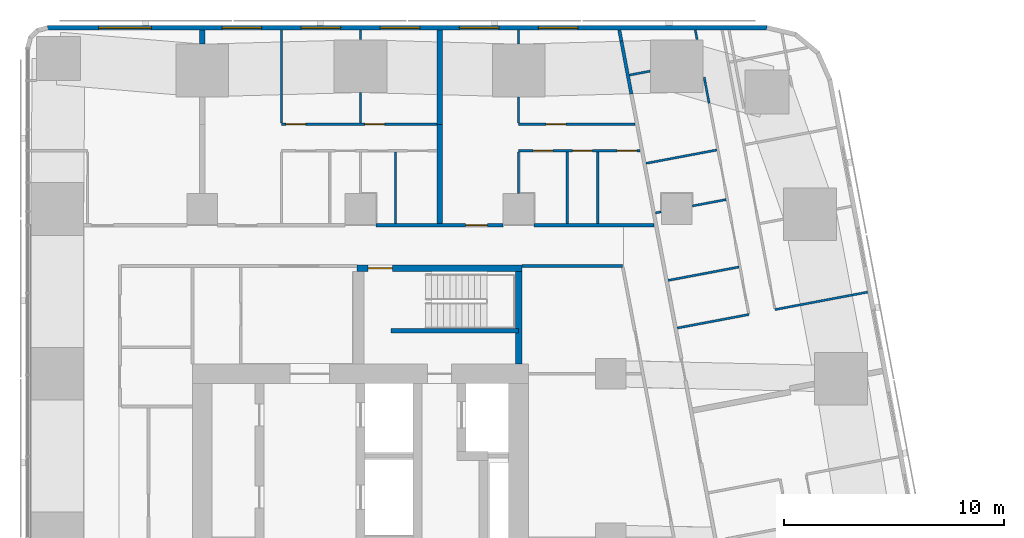
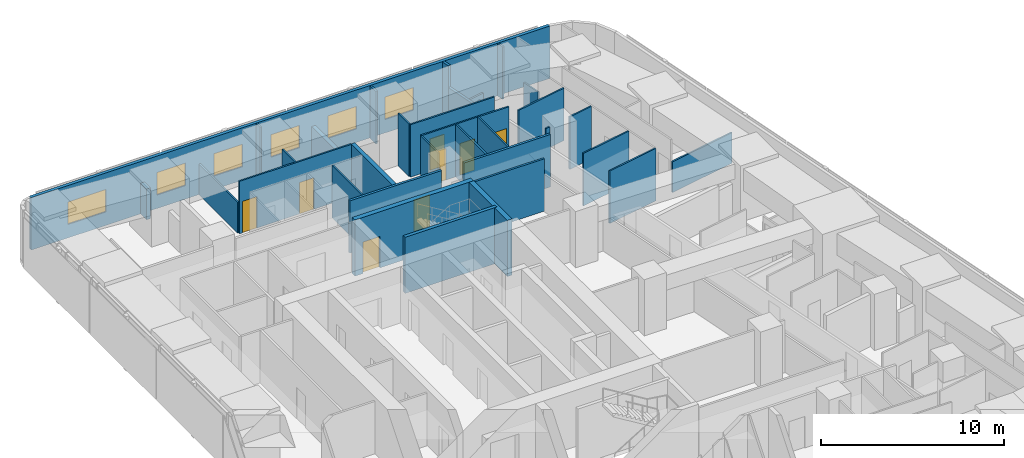
# One storey, part 16 of 19: 33 walls, 8 doors, 6 windows, 14 openings.
"""IFC4 building model written with IfcOpenShell, lengths in metres."""

from ifc_helpers import new_model, si_unit, direction, frame, frame_2d, origin, place, context, subcontext, project, spatial, rectangle, extrude, material, layer, layer_set, type_object, element, fill, save


model = new_model("IFC4")

# Units and contexts
model_context = context("Model", 3, precision=1e-05, world=origin(), true_north=direction((0.0, 1.0)))
body_context = subcontext(model_context, "Body", "Model", "MODEL_VIEW")
ifc_project = project(units=[si_unit("LENGTHUNIT", "METRE"), si_unit("AREAUNIT", "SQUARE_METRE"), si_unit("VOLUMEUNIT", "CUBIC_METRE"), si_unit("PLANEANGLEUNIT", "RADIAN"), si_unit("MASSUNIT", "GRAM", prefix="KILO")], contexts=[model_context])

# Site, building, storey
site_placement = place(None, origin())
site = spatial("IfcSite", under=ifc_project, at=site_placement, CompositionType="ELEMENT")
building_placement = place(site_placement, origin())
building = spatial("IfcBuilding", under=site, at=building_placement, Name="Sheger Commons Tower", CompositionType="ELEMENT")
storey_placement = place(building_placement, frame((0.0, 0.0, 219.949951171875)))
storey = spatial("IfcBuildingStorey", under=building, at=storey_placement, Name="L56", CompositionType="ELEMENT", Elevation=219.949951171875)

# Wall, opening, door
ifc_material_1 = material(Name="Hollow concrete block masonry, skimmed both sides", Category="masonry")
ifc_layer_1 = layer(ifc_material_1, 0.14990234375)
ifc_layer_set_1 = layer_set([ifc_layer_1], Name="CORRIDOR WALL 150")
wall_type_1 = type_object("IfcWallType", Name="CORRIDOR WALL 150", PredefinedType="SOLIDWALL", material=ifc_layer_set_1)
wall_1_placement = place(storey_placement, frame((22.301025390625, 36.75, 0.0), z_axis=(0.0, 0.0, 1.0), x_axis=(1.0, 0.0, 0.0)))
wall_1 = element("IfcWall", 1, at=wall_1_placement, inside=storey, type_object=wall_type_1, Name="Corridor wall L56", PredefinedType="SOLIDWALL", context=body_context, shape_type="SweptSolid", body=[
    extrude(rectangle(XDim=5.798095703125, YDim=0.14990234375, at=frame_2d((2.89892578125, 0.0))), origin(), (0.0, 0.0, 1.0), 3.5),
])
opening_1_placement = place(wall_1_placement, frame((4.08203125, 0.0, 0.0)))
opening_1 = element("IfcOpeningElement", 2, at=opening_1_placement, cuts=wall_1, Name="Opening D1", PredefinedType="OPENING", context=body_context, shape_type="SweptSolid", body=[
    extrude(rectangle(XDim=1.0, YDim=2.10009765625, at=frame_2d((0.5, 1.050048828125))), frame((0.0, 0.0849609375, 0.0), z_axis=(0.0, -1.0, 0.0), x_axis=(1.0, 0.0, 0.0)), (0.0, 0.0, 1.0), 0.169921875),
])
ifc_material_2 = material(Name="Steel door set, fire rated", Category="steel")
door_type_1 = type_object("IfcDoorType", Name="FLAT ENTRANCE DOOR 1000x2100", OperationType="NOTDEFINED", PredefinedType="DOOR", material=ifc_material_2)
door_1_placement = place(opening_1_placement, origin())
door_1 = element("IfcDoor", 3, at=door_1_placement, inside=storey, type_object=door_type_1, Name="Flat entrance door", OperationType="SINGLE_SWING_RIGHT", OverallHeight=2.10009765625, OverallWidth=1.0, PredefinedType="DOOR", context=body_context, shape_type="SweptSolid", body=[
    extrude(rectangle(XDim=1.0, YDim=2.10009765625, at=frame_2d((0.5, 1.050048828125))), frame((0.0, 0.02490234375, 0.0), z_axis=(0.0, -1.0, 0.0), x_axis=(1.0, 0.0, 0.0)), (0.0, 0.0, 1.0), 0.050048828125),
])
fill(opening_1, door_1)

# Walls
wall_2_placement = place(storey_placement, frame((29.5009765625, 36.75, 0.0), z_axis=(0.0, 0.0, 1.0), x_axis=(1.0, 0.0, 0.0)))
element("IfcWall", 4, at=wall_2_placement, inside=storey, type_object=wall_type_1, Name="Corridor wall L56", PredefinedType="SOLIDWALL", context=body_context, shape_type="SweptSolid", body=[
    extrude(rectangle(XDim=5.470947265625, YDim=0.14990234375, at=frame_2d((2.7353515625, 0.0))), origin(), (0.0, 0.0, 1.0), 3.5),
])
wall_3_placement = place(storey_placement, frame((33.382080078125, 45.64990234375, 0.0), z_axis=(0.0, 0.0, 1.0), x_axis=(0.185657456326, -0.982614527122, 0.0)))
element("IfcWall", 5, at=wall_3_placement, inside=storey, type_object=wall_type_1, Name="Corridor wall L56", PredefinedType="SOLIDWALL", context=body_context, shape_type="SweptSolid", body=[
    extrude(rectangle(XDim=0.516845703125, YDim=0.14990234375, at=frame_2d((0.25830078125, 0.0))), origin(), (0.0, 0.0, 1.0), 3.5),
])
wall_4_placement = place(storey_placement, frame((33.47802734375, 45.14208984375, 0.0), z_axis=(0.0, 0.0, 1.0), x_axis=(0.185393362436, -0.982664388876, 0.0)))
element("IfcWall", 6, at=wall_4_placement, inside=storey, type_object=wall_type_1, Name="Corridor wall L56", PredefinedType="SOLIDWALL", context=body_context, shape_type="SweptSolid", body=[
    extrude(rectangle(XDim=2.45458984375, YDim=0.14990234375, at=frame_2d((1.227294921875, 0.0))), origin(), (0.0, 0.0, 1.0), 2.050048828125),
])
ifc_material_3 = material(Name="Dense concrete block masonry, plastered both sides (separating wall between flats)", Category="masonry")
ifc_layer_2 = layer(ifc_material_3, 0.25)
ifc_layer_set_2 = layer_set([ifc_layer_2], Name="DEMISING WALL 250")
wall_type_2 = type_object("IfcWallType", Name="DEMISING WALL 250", PredefinedType="SOLIDWALL", material=ifc_layer_set_2)
wall_5_placement = place(storey_placement, frame((14.39990234375, 45.0009765625, 0.0), z_axis=(0.0, 0.0, 1.0), x_axis=(0.0, 1.0, 0.0)))
element("IfcWall", 7, at=wall_5_placement, inside=storey, type_object=wall_type_2, Name="Demising wall L56", PredefinedType="SOLIDWALL", context=body_context, shape_type="SweptSolid", body=[
    extrude(rectangle(XDim=0.64892578125, YDim=0.25, at=frame_2d((0.324462890625, 0.0))), origin(), (0.0, 0.0, 1.0), 2.050048828125),
])
wall_6_placement = place(storey_placement, frame((25.199951171875, 41.35009765625, 0.0), z_axis=(0.0, 0.0, 1.0), x_axis=(0.0, 1.0, 0.0)))
element("IfcWall", 8, at=wall_6_placement, inside=storey, type_object=wall_type_2, Name="Demising wall L56", PredefinedType="SOLIDWALL", context=body_context, shape_type="SweptSolid", body=[
    extrude(rectangle(XDim=4.2998046875, YDim=0.25, at=frame_2d((2.14990234375, 0.0))), origin(), (0.0, 0.0, 1.0), 2.050048828125),
])
wall_7_placement = place(storey_placement, frame((25.199951171875, 36.824951171875, 0.0), z_axis=(0.0, 0.0, 1.0), x_axis=(0.0, 1.0, 0.0)))
element("IfcWall", 9, at=wall_7_placement, inside=storey, type_object=wall_type_2, Name="Demising wall L56", PredefinedType="SOLIDWALL", context=body_context, shape_type="SweptSolid", body=[
    extrude(rectangle(XDim=4.525146484375, YDim=0.25, at=frame_2d((2.2626953125, 0.0))), origin(), (0.0, 0.0, 1.0), 3.5),
])

# Wall, openings, windows
ifc_material_4 = material(Name="Rendered concrete block masonry, dark grey", Category="masonry")
ifc_layer_3 = layer(ifc_material_4, 0.199951171875)
ifc_layer_set_3 = layer_set([ifc_layer_3], Name="FACADE WALL 200")
wall_type_3 = type_object("IfcWallType", Name="FACADE WALL 200", PredefinedType="SOLIDWALL", material=ifc_layer_set_3)
wall_8_placement = place(storey_placement, frame((40.10595703125, 45.75, 0.0), z_axis=(0.0, 0.0, 1.0), x_axis=(-1.0, 0.0, 0.0)))
wall_8 = element("IfcWall", 10, at=wall_8_placement, inside=storey, type_object=wall_type_3, Name="Facade wall L56", PredefinedType="SOLIDWALL", context=body_context, shape_type="SweptSolid", body=[
    extrude(rectangle(XDim=32.742919921875, YDim=0.199951171875, at=frame_2d((16.37158203125, 0.0))), origin(), (0.0, 0.0, 1.0), 3.5),
])
opening_2_placement = place(wall_8_placement, frame((8.60595703125, 0.0, 0.89990234375)))
opening_2 = element("IfcOpeningElement", 11, at=opening_2_placement, cuts=wall_8, Name="Opening W2", PredefinedType="OPENING", context=body_context, shape_type="SweptSolid", body=[
    extrude(rectangle(XDim=1.800048828125, YDim=1.5, at=frame_2d((0.89990234375, 0.75))), frame((0.0, 0.10986328125, 0.0), z_axis=(0.0, -1.0, 0.0), x_axis=(1.0, 0.0, 0.0)), (0.0, 0.0, 1.0), 0.219970703125),
])
opening_3_placement = place(wall_8_placement, frame((12.2060546875, 0.0, 0.89990234375)))
opening_3 = element("IfcOpeningElement", 12, at=opening_3_placement, cuts=wall_8, Name="Opening W2", PredefinedType="OPENING", context=body_context, shape_type="SweptSolid", body=[
    extrude(rectangle(XDim=1.800048828125, YDim=1.5, at=frame_2d((0.89990234375, 0.75))), frame((0.0, 0.10986328125, 0.0), z_axis=(0.0, -1.0, 0.0), x_axis=(1.0, 0.0, 0.0)), (0.0, 0.0, 1.0), 0.219970703125),
])
opening_4_placement = place(wall_8_placement, frame((15.805908203125, 0.0, 0.89990234375)))
opening_4 = element("IfcOpeningElement", 13, at=opening_4_placement, cuts=wall_8, Name="Opening W2", PredefinedType="OPENING", context=body_context, shape_type="SweptSolid", body=[
    extrude(rectangle(XDim=1.800048828125, YDim=1.5, at=frame_2d((0.89990234375, 0.75))), frame((0.0, 0.10986328125, 0.0), z_axis=(0.0, -1.0, 0.0), x_axis=(1.0, 0.0, 0.0)), (0.0, 0.0, 1.0), 0.219970703125),
])
opening_5_placement = place(wall_8_placement, frame((19.406005859375, 0.0, 0.89990234375)))
opening_5 = element("IfcOpeningElement", 14, at=opening_5_placement, cuts=wall_8, Name="Opening W2", PredefinedType="OPENING", context=body_context, shape_type="SweptSolid", body=[
    extrude(rectangle(XDim=1.800048828125, YDim=1.5, at=frame_2d((0.89990234375, 0.75))), frame((0.0, 0.10986328125, 0.0), z_axis=(0.0, -1.0, 0.0), x_axis=(1.0, 0.0, 0.0)), (0.0, 0.0, 1.0), 0.219970703125),
])
opening_6_placement = place(wall_8_placement, frame((23.006103515625, 0.0, 0.89990234375)))
opening_6 = element("IfcOpeningElement", 15, at=opening_6_placement, cuts=wall_8, Name="Opening W2", PredefinedType="OPENING", context=body_context, shape_type="SweptSolid", body=[
    extrude(rectangle(XDim=1.800048828125, YDim=1.5, at=frame_2d((0.89990234375, 0.75))), frame((0.0, 0.10986328125, 0.0), z_axis=(0.0, -1.0, 0.0), x_axis=(1.0, 0.0, 0.0)), (0.0, 0.0, 1.0), 0.219970703125),
])
opening_7_placement = place(wall_8_placement, frame((28.02490234375, 0.0, 0.89990234375)))
opening_7 = element("IfcOpeningElement", 16, at=opening_7_placement, cuts=wall_8, Name="Opening W1", PredefinedType="OPENING", context=body_context, shape_type="SweptSolid", body=[
    extrude(rectangle(XDim=2.39990234375, YDim=1.5, at=frame_2d((1.199951171875, 0.75))), frame((0.0, 0.10986328125, 0.0), z_axis=(0.0, -1.0, 0.0), x_axis=(1.0, 0.0, 0.0)), (0.0, 0.0, 1.0), 0.219970703125),
])
ifc_material_5 = material(Name="Black aluminium frame, dark tinted double glazing", Category="aluminium")
window_type_1 = type_object("IfcWindowType", Name="WINDOW W1 2400x1500", PartitioningType="SINGLE_PANEL", PredefinedType="WINDOW", material=ifc_material_5)
window_1_placement = place(opening_7_placement, origin())
window_1 = element("IfcWindow", 17, at=window_1_placement, inside=storey, type_object=window_type_1, Name="Window W1 2400X1500", OverallHeight=1.5, OverallWidth=2.39990234375, PartitioningType="SINGLE_PANEL", PredefinedType="WINDOW", context=body_context, shape_type="SweptSolid", body=[
    extrude(rectangle(XDim=2.39990234375, YDim=1.5, at=frame_2d((1.199951171875, 0.75))), frame((0.0, 0.030029296875, 0.0), z_axis=(0.0, -1.0, 0.0), x_axis=(1.0, 0.0, 0.0)), (0.0, 0.0, 1.0), 0.06005859375),
])
fill(opening_7, window_1)
ifc_material_6 = material(Name="Black aluminium frame, dark tinted double glazing", Category="aluminium")
window_type_2 = type_object("IfcWindowType", Name="WINDOW W2 1800x1500", PartitioningType="SINGLE_PANEL", PredefinedType="WINDOW", material=ifc_material_6)
window_2_placement = place(opening_2_placement, origin())
window_2 = element("IfcWindow", 18, at=window_2_placement, inside=storey, type_object=window_type_2, Name="Window W2 1800X1500", OverallHeight=1.5, OverallWidth=1.800048828125, PartitioningType="SINGLE_PANEL", PredefinedType="WINDOW", context=body_context, shape_type="SweptSolid", body=[
    extrude(rectangle(XDim=1.800048828125, YDim=1.5, at=frame_2d((0.89990234375, 0.75))), frame((0.0, 0.030029296875, 0.0), z_axis=(0.0, -1.0, 0.0), x_axis=(1.0, 0.0, 0.0)), (0.0, 0.0, 1.0), 0.06005859375),
])
fill(opening_2, window_2)
window_3_placement = place(opening_3_placement, origin())
window_3 = element("IfcWindow", 19, at=window_3_placement, inside=storey, type_object=window_type_2, Name="Window W2 1800X1500", OverallHeight=1.5, OverallWidth=1.800048828125, PartitioningType="SINGLE_PANEL", PredefinedType="WINDOW", context=body_context, shape_type="SweptSolid", body=[
    extrude(rectangle(XDim=1.800048828125, YDim=1.5, at=frame_2d((0.89990234375, 0.75))), frame((0.0, 0.030029296875, 0.0), z_axis=(0.0, -1.0, 0.0), x_axis=(1.0, 0.0, 0.0)), (0.0, 0.0, 1.0), 0.06005859375),
])
fill(opening_3, window_3)
window_4_placement = place(opening_4_placement, origin())
window_4 = element("IfcWindow", 20, at=window_4_placement, inside=storey, type_object=window_type_2, Name="Window W2 1800X1500", OverallHeight=1.5, OverallWidth=1.800048828125, PartitioningType="SINGLE_PANEL", PredefinedType="WINDOW", context=body_context, shape_type="SweptSolid", body=[
    extrude(rectangle(XDim=1.800048828125, YDim=1.5, at=frame_2d((0.89990234375, 0.75))), frame((0.0, 0.030029296875, 0.0), z_axis=(0.0, -1.0, 0.0), x_axis=(1.0, 0.0, 0.0)), (0.0, 0.0, 1.0), 0.06005859375),
])
fill(opening_4, window_4)
window_5_placement = place(opening_5_placement, origin())
window_5 = element("IfcWindow", 21, at=window_5_placement, inside=storey, type_object=window_type_2, Name="Window W2 1800X1500", OverallHeight=1.5, OverallWidth=1.800048828125, PartitioningType="SINGLE_PANEL", PredefinedType="WINDOW", context=body_context, shape_type="SweptSolid", body=[
    extrude(rectangle(XDim=1.800048828125, YDim=1.5, at=frame_2d((0.89990234375, 0.75))), frame((0.0, 0.030029296875, 0.0), z_axis=(0.0, -1.0, 0.0), x_axis=(1.0, 0.0, 0.0)), (0.0, 0.0, 1.0), 0.06005859375),
])
fill(opening_5, window_5)
window_6_placement = place(opening_6_placement, origin())
window_6 = element("IfcWindow", 22, at=window_6_placement, inside=storey, type_object=window_type_2, Name="Window W2 1800X1500", OverallHeight=1.5, OverallWidth=1.800048828125, PartitioningType="SINGLE_PANEL", PredefinedType="WINDOW", context=body_context, shape_type="SweptSolid", body=[
    extrude(rectangle(XDim=1.800048828125, YDim=1.5, at=frame_2d((0.89990234375, 0.75))), frame((0.0, 0.030029296875, 0.0), z_axis=(0.0, -1.0, 0.0), x_axis=(1.0, 0.0, 0.0)), (0.0, 0.0, 1.0), 0.06005859375),
])
fill(opening_6, window_6)

# Walls
ifc_material_7 = material(Name="Gypsum board on steel studs", Category="steel")
ifc_layer_4 = layer(ifc_material_7, 0.10009765625)
ifc_layer_set_4 = layer_set([ifc_layer_4], Name="PARTITION 100")
wall_type_4 = type_object("IfcWallType", Name="PARTITION 100", PredefinedType="PARTITIONING", material=ifc_layer_set_4)
wall_9_placement = place(storey_placement, frame((36.842041015625, 45.64990234375, 0.0), z_axis=(0.0, 0.0, 1.0), x_axis=(0.185407859198, -0.982661653748, 0.0)))
element("IfcWall", 23, at=wall_9_placement, inside=storey, type_object=wall_type_4, Name="Partition L56", PredefinedType="PARTITIONING", context=body_context, shape_type="SweptSolid", body=[
    extrude(rectangle(XDim=0.44775390625, YDim=0.10009765625, at=frame_2d((0.223876953125, 0.0))), origin(), (0.0, 0.0, 1.0), 3.5),
])
wall_10_placement = place(storey_placement, frame((37.2490234375, 43.492919921875, 0.0), z_axis=(0.0, 0.0, 1.0), x_axis=(0.185817643817, -0.982584247404, 0.0)))
element("IfcWall", 24, at=wall_10_placement, inside=storey, type_object=wall_type_4, Name="Partition L56", PredefinedType="PARTITIONING", context=body_context, shape_type="SweptSolid", body=[
    extrude(rectangle(XDim=1.204833984375, YDim=0.10009765625, at=frame_2d((0.6025390625, 0.0))), origin(), (0.0, 0.0, 1.0), 2.050048828125),
])
wall_11_placement = place(storey_placement, frame((44.693115234375, 33.712890625, 0.0), z_axis=(0.0, 0.0, 1.0), x_axis=(-0.982633535512, -0.185556823879, 0.0)))
element("IfcWall", 25, at=wall_11_placement, inside=storey, type_object=wall_type_4, Name="Partition L56", PredefinedType="PARTITIONING", context=body_context, shape_type="SweptSolid", body=[
    extrude(rectangle(XDim=4.2998046875, YDim=0.10009765625, at=frame_2d((2.14990234375, 0.0))), origin(), (0.0, 0.0, 1.0), 2.050048828125),
])
wall_12_placement = place(storey_placement, frame((34.7900390625, 43.77197265625, 0.0), z_axis=(0.0, 0.0, 1.0), x_axis=(-0.982655532093, -0.185440301034, 0.0)))
element("IfcWall", 26, at=wall_12_placement, inside=storey, type_object=wall_type_4, Name="Partition L56", PredefinedType="PARTITIONING", context=body_context, shape_type="SweptSolid", body=[
    extrude(rectangle(XDim=0.959716796875, YDim=0.10009765625, at=frame_2d((0.47998046875, 0.0))), origin(), (0.0, 0.0, 1.0), 2.050048828125),
])
wall_13_placement = place(storey_placement, frame((37.822998046875, 40.181884765625, 0.0), z_axis=(0.0, 0.0, 1.0), x_axis=(-0.982664729897, -0.18539155487, 0.0)))
element("IfcWall", 27, at=wall_13_placement, inside=storey, type_object=wall_type_4, Name="Partition L56", PredefinedType="PARTITIONING", context=body_context, shape_type="SweptSolid", body=[
    extrude(rectangle(XDim=3.273681640625, YDim=0.10009765625, at=frame_2d((1.63671875, 0.0))), origin(), (0.0, 0.0, 1.0), 3.5),
])
wall_14_placement = place(storey_placement, frame((38.25, 37.925048828125, 0.0), z_axis=(0.0, 0.0, 1.0), x_axis=(-0.982610209589, -0.185680305934, 0.0)))
element("IfcWall", 28, at=wall_14_placement, inside=storey, type_object=wall_type_4, Name="Partition L56", PredefinedType="PARTITIONING", context=body_context, shape_type="SweptSolid", body=[
    extrude(rectangle(XDim=1.5673828125, YDim=0.10009765625, at=frame_2d((0.78369140625, 0.0))), origin(), (0.0, 0.0, 1.0), 3.5),
])
wall_15_placement = place(storey_placement, frame((35.2900390625, 37.365966796875, 0.0), z_axis=(0.0, 0.0, 1.0), x_axis=(-0.982395465615, -0.18681313963, 0.0)))
element("IfcWall", 29, at=wall_15_placement, inside=storey, type_object=wall_type_4, Name="Partition L56", PredefinedType="PARTITIONING", context=body_context, shape_type="SweptSolid", body=[
    extrude(rectangle(XDim=0.2626953125, YDim=0.10009765625, at=frame_2d((0.13134765625, 0.0))), origin(), (0.0, 0.0, 1.0), 3.5),
])
wall_16_placement = place(storey_placement, frame((39.2890625, 32.69189453125, 0.0), z_axis=(0.0, 0.0, 1.0), x_axis=(-0.982633623707, -0.185556356831, 0.0)))
element("IfcWall", 30, at=wall_16_placement, inside=storey, type_object=wall_type_4, Name="Partition L56", PredefinedType="PARTITIONING", context=body_context, shape_type="SweptSolid", body=[
    extrude(rectangle(XDim=3.324951171875, YDim=0.10009765625, at=frame_2d((1.66259765625, 0.0))), origin(), (0.0, 0.0, 1.0), 3.5),
])
wall_17_placement = place(storey_placement, frame((38.8291015625, 34.85498046875, 0.0), z_axis=(0.0, 0.0, 1.0), x_axis=(-0.982610347627, -0.185679575441, 0.0)))
element("IfcWall", 31, at=wall_17_placement, inside=storey, type_object=wall_type_4, Name="Partition L56", PredefinedType="PARTITIONING", context=body_context, shape_type="SweptSolid", body=[
    extrude(rectangle(XDim=3.27392578125, YDim=0.10009765625, at=frame_2d((1.636962890625, 0.0))), origin(), (0.0, 0.0, 1.0), 3.5),
])

# Wall, openings, doors
wall_18_placement = place(storey_placement, frame((18.0, 41.35009765625, 0.0), z_axis=(0.0, 0.0, 1.0), x_axis=(1.0, 0.0, 0.0)))
wall_18 = element("IfcWall", 32, at=wall_18_placement, inside=storey, type_object=wall_type_4, Name="Partition L56", PredefinedType="PARTITIONING", context=body_context, shape_type="SweptSolid", body=[
    extrude(rectangle(XDim=7.074951171875, YDim=0.10009765625, at=frame_2d((3.53759765625, 0.0))), origin(), (0.0, 0.0, 1.0), 3.5),
])
opening_8_placement = place(wall_18_placement, frame((0.199951171875, 0.0, 0.0)))
opening_8 = element("IfcOpeningElement", 33, at=opening_8_placement, cuts=wall_18, Name="Opening D2", PredefinedType="OPENING", context=body_context, shape_type="SweptSolid", body=[
    extrude(rectangle(XDim=0.89990234375, YDim=2.10009765625, at=frame_2d((0.449951171875, 1.050048828125))), frame((0.0, 0.06005859375, 0.0), z_axis=(0.0, -1.0, 0.0), x_axis=(1.0, 0.0, 0.0)), (0.0, 0.0, 1.0), 0.1201171875),
])
opening_9_placement = place(wall_18_placement, frame((3.800048828125, 0.0, 0.0)))
opening_9 = element("IfcOpeningElement", 34, at=opening_9_placement, cuts=wall_18, Name="Opening D2", PredefinedType="OPENING", context=body_context, shape_type="SweptSolid", body=[
    extrude(rectangle(XDim=0.89990234375, YDim=2.10009765625, at=frame_2d((0.449951171875, 1.050048828125))), frame((0.0, 0.06005859375, 0.0), z_axis=(0.0, -1.0, 0.0), x_axis=(1.0, 0.0, 0.0)), (0.0, 0.0, 1.0), 0.1201171875),
])
ifc_material_8 = material(Name="Timber door set", Category="wood")
door_type_2 = type_object("IfcDoorType", Name="INTERNAL DOOR 900x2100", OperationType="NOTDEFINED", PredefinedType="DOOR", material=ifc_material_8)
door_2_placement = place(opening_8_placement, origin())
door_2 = element("IfcDoor", 35, at=door_2_placement, inside=storey, type_object=door_type_2, Name="Main bedroom door", OperationType="SINGLE_SWING_LEFT", OverallHeight=2.10009765625, OverallWidth=0.89990234375, PredefinedType="DOOR", context=body_context, shape_type="SweptSolid", body=[
    extrude(rectangle(XDim=0.89990234375, YDim=2.10009765625, at=frame_2d((0.449951171875, 1.050048828125))), frame((0.0, 0.02490234375, 0.0), z_axis=(0.0, -1.0, 0.0), x_axis=(1.0, 0.0, 0.0)), (0.0, 0.0, 1.0), 0.050048828125),
])
fill(opening_8, door_2)
door_3_placement = place(opening_9_placement, origin())
door_3 = element("IfcDoor", 36, at=door_3_placement, inside=storey, type_object=door_type_2, Name="Bedroom 2 door", OperationType="SINGLE_SWING_LEFT", OverallHeight=2.10009765625, OverallWidth=0.89990234375, PredefinedType="DOOR", context=body_context, shape_type="SweptSolid", body=[
    extrude(rectangle(XDim=0.89990234375, YDim=2.10009765625, at=frame_2d((0.449951171875, 1.050048828125))), frame((0.0, 0.02490234375, 0.0), z_axis=(0.0, -1.0, 0.0), x_axis=(1.0, 0.0, 0.0)), (0.0, 0.0, 1.0), 0.050048828125),
])
fill(opening_9, door_3)

# Walls
wall_19_placement = place(storey_placement, frame((18.0, 41.39990234375, 0.0), z_axis=(0.0, 0.0, 1.0), x_axis=(0.0, 1.0, 0.0)))
element("IfcWall", 37, at=wall_19_placement, inside=storey, type_object=wall_type_4, Name="Partition L56", PredefinedType="PARTITIONING", context=body_context, shape_type="SweptSolid", body=[
    extrude(rectangle(XDim=4.25, YDim=0.10009765625, at=frame_2d((2.125, 0.0))), origin(), (0.0, 0.0, 1.0), 2.050048828125),
])
wall_20_placement = place(storey_placement, frame((21.60009765625, 41.39990234375, 0.0), z_axis=(0.0, 0.0, 1.0), x_axis=(0.0, 1.0, 0.0)))
element("IfcWall", 38, at=wall_20_placement, inside=storey, type_object=wall_type_4, Name="Partition L56", PredefinedType="PARTITIONING", context=body_context, shape_type="SweptSolid", body=[
    extrude(rectangle(XDim=1.399169921875, YDim=0.10009765625, at=frame_2d((0.69970703125, 0.0))), origin(), (0.0, 0.0, 1.0), 3.5),
])
wall_21_placement = place(storey_placement, frame((21.60009765625, 45.200927734375, 0.0), z_axis=(0.0, 0.0, 1.0), x_axis=(0.0, 1.0, 0.0)))
element("IfcWall", 39, at=wall_21_placement, inside=storey, type_object=wall_type_4, Name="Partition L56", PredefinedType="PARTITIONING", context=body_context, shape_type="SweptSolid", body=[
    extrude(rectangle(XDim=0.448974609375, YDim=0.10009765625, at=frame_2d((0.224609375, 0.0))), origin(), (0.0, 0.0, 1.0), 3.5),
])
wall_22_placement = place(storey_placement, frame((23.199951171875, 36.824951171875, 0.0), z_axis=(0.0, 0.0, 1.0), x_axis=(0.0, 1.0, 0.0)))
element("IfcWall", 40, at=wall_22_placement, inside=storey, type_object=wall_type_4, Name="Partition L56", PredefinedType="PARTITIONING", context=body_context, shape_type="SweptSolid", body=[
    extrude(rectangle(XDim=3.275146484375, YDim=0.10009765625, at=frame_2d((1.6376953125, 0.0))), origin(), (0.0, 0.0, 1.0), 3.5),
])

# Wall, opening, door
wall_23_placement = place(storey_placement, frame((28.800048828125, 41.35009765625, 0.0), z_axis=(0.0, 0.0, 1.0), x_axis=(1.0, 0.0, 0.0)))
wall_23 = element("IfcWall", 41, at=wall_23_placement, inside=storey, type_object=wall_type_4, Name="Partition L56", PredefinedType="PARTITIONING", context=body_context, shape_type="SweptSolid", body=[
    extrude(rectangle(XDim=5.307861328125, YDim=0.10009765625, at=frame_2d((2.65380859375, 0.0))), origin(), (0.0, 0.0, 1.0), 3.5),
])
opening_10_placement = place(wall_23_placement, frame((1.25, 0.0, 0.0)))
opening_10 = element("IfcOpeningElement", 42, at=opening_10_placement, cuts=wall_23, Name="Opening D2", PredefinedType="OPENING", context=body_context, shape_type="SweptSolid", body=[
    extrude(rectangle(XDim=0.89990234375, YDim=2.10009765625, at=frame_2d((0.449951171875, 1.050048828125))), frame((0.0, 0.06005859375, 0.0), z_axis=(0.0, -1.0, 0.0), x_axis=(1.0, 0.0, 0.0)), (0.0, 0.0, 1.0), 0.1201171875),
])
door_4_placement = place(opening_10_placement, origin())
door_4 = element("IfcDoor", 43, at=door_4_placement, inside=storey, type_object=door_type_2, Name="Main bedroom door", OperationType="SINGLE_SWING_RIGHT", OverallHeight=2.10009765625, OverallWidth=0.89990234375, PredefinedType="DOOR", context=body_context, shape_type="SweptSolid", body=[
    extrude(rectangle(XDim=0.89990234375, YDim=2.10009765625, at=frame_2d((0.449951171875, 1.050048828125))), frame((0.0, 0.02490234375, 0.0), z_axis=(0.0, -1.0, 0.0), x_axis=(1.0, 0.0, 0.0)), (0.0, 0.0, 1.0), 0.050048828125),
])
fill(opening_10, door_4)

# Wall, openings, doors
wall_24_placement = place(storey_placement, frame((28.800048828125, 40.14990234375, 0.0), z_axis=(0.0, 0.0, 1.0), x_axis=(1.0, 0.0, 0.0)))
wall_24 = element("IfcWall", 44, at=wall_24_placement, inside=storey, type_object=wall_type_4, Name="Partition L56", PredefinedType="PARTITIONING", context=body_context, shape_type="SweptSolid", body=[
    extrude(rectangle(XDim=5.534912109375, YDim=0.10009765625, at=frame_2d((2.767578125, 0.0))), origin(), (0.0, 0.0, 1.0), 3.5),
])
opening_11_placement = place(wall_24_placement, frame((0.655029296875, 0.0, 0.0)))
opening_11 = element("IfcOpeningElement", 45, at=opening_11_placement, cuts=wall_24, Name="Opening D2", PredefinedType="OPENING", context=body_context, shape_type="SweptSolid", body=[
    extrude(rectangle(XDim=0.89990234375, YDim=2.10009765625, at=frame_2d((0.449951171875, 1.050048828125))), frame((0.0, 0.06005859375, 0.0), z_axis=(0.0, -1.0, 0.0), x_axis=(1.0, 0.0, 0.0)), (0.0, 0.0, 1.0), 0.1201171875),
])
opening_12_placement = place(wall_24_placement, frame((4.48095703125, 0.0, 0.0)))
opening_12 = element("IfcOpeningElement", 46, at=opening_12_placement, cuts=wall_24, Name="Opening D2", PredefinedType="OPENING", context=body_context, shape_type="SweptSolid", body=[
    extrude(rectangle(XDim=0.89990234375, YDim=2.10009765625, at=frame_2d((0.449951171875, 1.050048828125))), frame((0.0, 0.06005859375, 0.0), z_axis=(0.0, -1.0, 0.0), x_axis=(1.0, 0.0, 0.0)), (0.0, 0.0, 1.0), 0.1201171875),
])
opening_13_placement = place(wall_24_placement, frame((2.455078125, 0.0, 0.0)))
opening_13 = element("IfcOpeningElement", 47, at=opening_13_placement, cuts=wall_24, Name="Opening D2", PredefinedType="OPENING", context=body_context, shape_type="SweptSolid", body=[
    extrude(rectangle(XDim=0.89990234375, YDim=2.10009765625, at=frame_2d((0.449951171875, 1.050048828125))), frame((0.0, 0.06005859375, 0.0), z_axis=(0.0, -1.0, 0.0), x_axis=(1.0, 0.0, 0.0)), (0.0, 0.0, 1.0), 0.1201171875),
])
door_5_placement = place(opening_11_placement, origin())
door_5 = element("IfcDoor", 48, at=door_5_placement, inside=storey, type_object=door_type_2, Name="Bathroom door", OperationType="SINGLE_SWING_RIGHT", OverallHeight=2.10009765625, OverallWidth=0.89990234375, PredefinedType="DOOR", context=body_context, shape_type="SweptSolid", body=[
    extrude(rectangle(XDim=0.89990234375, YDim=2.10009765625, at=frame_2d((0.449951171875, 1.050048828125))), frame((0.0, 0.02490234375, 0.0), z_axis=(0.0, -1.0, 0.0), x_axis=(1.0, 0.0, 0.0)), (0.0, 0.0, 1.0), 0.050048828125),
])
fill(opening_11, door_5)
door_6_placement = place(opening_12_placement, origin())
door_6 = element("IfcDoor", 49, at=door_6_placement, inside=storey, type_object=door_type_2, Name="Laundry room door", OperationType="SINGLE_SWING_LEFT", OverallHeight=2.10009765625, OverallWidth=0.89990234375, PredefinedType="DOOR", context=body_context, shape_type="SweptSolid", body=[
    extrude(rectangle(XDim=0.89990234375, YDim=2.10009765625, at=frame_2d((0.449951171875, 1.050048828125))), frame((0.0, 0.02490234375, 0.0), z_axis=(0.0, -1.0, 0.0), x_axis=(1.0, 0.0, 0.0)), (0.0, 0.0, 1.0), 0.050048828125),
])
fill(opening_12, door_6)
door_7_placement = place(opening_13_placement, origin())
door_7 = element("IfcDoor", 50, at=door_7_placement, inside=storey, type_object=door_type_2, Name="Store door", OperationType="SINGLE_SWING_LEFT", OverallHeight=2.10009765625, OverallWidth=0.89990234375, PredefinedType="DOOR", context=body_context, shape_type="SweptSolid", body=[
    extrude(rectangle(XDim=0.89990234375, YDim=2.10009765625, at=frame_2d((0.449951171875, 1.050048828125))), frame((0.0, 0.02490234375, 0.0), z_axis=(0.0, -1.0, 0.0), x_axis=(1.0, 0.0, 0.0)), (0.0, 0.0, 1.0), 0.050048828125),
])
fill(opening_13, door_7)

# Walls
wall_25_placement = place(storey_placement, frame((28.800048828125, 41.39990234375, 0.0), z_axis=(0.0, 0.0, 1.0), x_axis=(0.0, 1.0, 0.0)))
element("IfcWall", 51, at=wall_25_placement, inside=storey, type_object=wall_type_4, Name="Partition L56", PredefinedType="PARTITIONING", context=body_context, shape_type="SweptSolid", body=[
    extrude(rectangle(XDim=1.19921875, YDim=0.10009765625, at=frame_2d((0.599609375, 0.0))), origin(), (0.0, 0.0, 1.0), 3.5),
])
wall_26_placement = place(storey_placement, frame((28.800048828125, 45.0009765625, 0.0), z_axis=(0.0, 0.0, 1.0), x_axis=(0.0, 1.0, 0.0)))
element("IfcWall", 52, at=wall_26_placement, inside=storey, type_object=wall_type_4, Name="Partition L56", PredefinedType="PARTITIONING", context=body_context, shape_type="SweptSolid", body=[
    extrude(rectangle(XDim=0.64892578125, YDim=0.10009765625, at=frame_2d((0.324462890625, 0.0))), origin(), (0.0, 0.0, 1.0), 3.5),
])
wall_27_placement = place(storey_placement, frame((28.800048828125, 38.200927734375, 0.0), z_axis=(0.0, 0.0, 1.0), x_axis=(0.0, 1.0, 0.0)))
element("IfcWall", 53, at=wall_27_placement, inside=storey, type_object=wall_type_4, Name="Partition L56", PredefinedType="PARTITIONING", context=body_context, shape_type="SweptSolid", body=[
    extrude(rectangle(XDim=1.899169921875, YDim=0.10009765625, at=frame_2d((0.94970703125, 0.0))), origin(), (0.0, 0.0, 1.0), 3.5),
])
for number, where, z_axis, x_axis, name in (
    (54, (32.39990234375, 36.824951171875, 0.0), (0.0, 0.0, 1.0), (0.0, 1.0, 0.0), "Partition L56"),
    (55, (31.010009765625, 36.824951171875, 0.0), (0.0, 0.0, 1.0), (0.0, 1.0, 0.0), "Partition L56"),
):
    element("IfcWall", number, at=place(storey_placement, frame(where, z_axis=z_axis, x_axis=x_axis)), inside=storey, type_object=wall_type_4, Name=name, PredefinedType="PARTITIONING", context=body_context, shape_type="SweptSolid", body=[
        extrude(rectangle(XDim=3.275146484375, YDim=0.10009765625, at=frame_2d((1.6376953125, 0.0))), origin(), (0.0, 0.0, 1.0), 3.5),
    ])
ifc_material_9 = material(Name="Gypsum board on steel studs, two layers each side, fire rated", Category="steel")
ifc_layer_5 = layer(ifc_material_9, 0.125)
ifc_layer_set_5 = layer_set([ifc_layer_5], Name="SERVICE WALL 125")
wall_type_5 = type_object("IfcWallType", Name="SERVICE WALL 125", PredefinedType="PARTITIONING", material=ifc_layer_set_5)
wall_28_placement = place(storey_placement, frame((28.949951171875, 34.89990234375, 0.0), z_axis=(0.0, 0.0, 1.0), x_axis=(1.0, 0.0, 0.0)))
element("IfcWall", 56, at=wall_28_placement, inside=storey, type_object=wall_type_5, Name="Service room wall L56", PredefinedType="PARTITIONING", context=body_context, shape_type="SweptSolid", body=[
    extrude(rectangle(XDim=4.588134765625, YDim=0.125, at=frame_2d((2.2939453125, 0.0))), origin(), (0.0, 0.0, 1.0), 3.5),
])

# Wall, opening, door
ifc_material_10 = material(Name="Concrete C50/60", Category="concrete")
ifc_layer_6 = layer(ifc_material_10, 0.300048828125)
ifc_layer_set_6 = layer_set([ifc_layer_6], Name="STAIR CORE WALL 300")
wall_type_6 = type_object("IfcWallType", Name="STAIR CORE WALL 300", PredefinedType="SHEAR", material=ifc_layer_set_6)
wall_29_placement = place(storey_placement, frame((21.449951171875, 34.800048828125, 0.0), z_axis=(0.0, 0.0, 1.0), x_axis=(1.0, 0.0, 0.0)))
wall_29 = element("IfcWall", 57, at=wall_29_placement, inside=storey, type_object=wall_type_6, Name="STW-L56-S2N", PredefinedType="SHEAR", context=body_context, shape_type="SweptSolid", body=[
    extrude(rectangle(XDim=7.5, YDim=0.300048828125, at=frame_2d((3.75, 0.0))), origin(), (0.0, 0.0, 1.0), 3.75),
])
opening_14_placement = place(wall_29_placement, frame((0.5, 0.0, 0.0)))
opening_14 = element("IfcOpeningElement", 58, at=opening_14_placement, cuts=wall_29, Name="Opening D5", PredefinedType="OPENING", context=body_context, shape_type="SweptSolid", body=[
    extrude(rectangle(XDim=1.10009765625, YDim=2.10009765625, at=frame_2d((0.550048828125, 1.050048828125))), frame((0.0, 0.159912109375, 0.0), z_axis=(0.0, -1.0, 0.0), x_axis=(1.0, 0.0, 0.0)), (0.0, 0.0, 1.0), 0.320068359375),
])
ifc_material_11 = material(Name="Steel door set, fire rated", Category="steel")
door_type_3 = type_object("IfcDoorType", Name="STAIR DOOR 1100x2100", OperationType="NOTDEFINED", PredefinedType="DOOR", material=ifc_material_11)
door_8_placement = place(opening_14_placement, origin())
door_8 = element("IfcDoor", 59, at=door_8_placement, inside=storey, type_object=door_type_3, Name="Stair S2 door", OperationType="SINGLE_SWING_RIGHT", OverallHeight=2.10009765625, OverallWidth=1.10009765625, PredefinedType="DOOR", context=body_context, shape_type="SweptSolid", body=[
    extrude(rectangle(XDim=1.10009765625, YDim=2.10009765625, at=frame_2d((0.550048828125, 1.050048828125))), frame((0.0, 0.02490234375, 0.0), z_axis=(0.0, -1.0, 0.0), x_axis=(1.0, 0.0, 0.0)), (0.0, 0.0, 1.0), 0.050048828125),
])
fill(opening_14, door_8)

# Walls
wall_30_placement = place(storey_placement, frame((28.800048828125, 30.449951171875, 0.0), z_axis=(0.0, 0.0, 1.0), x_axis=(0.0, 1.0, 0.0)))
element("IfcWall", 60, at=wall_30_placement, inside=storey, type_object=wall_type_6, Name="STW-L56-S2E", PredefinedType="SHEAR", context=body_context, shape_type="SweptSolid", body=[
    extrude(rectangle(XDim=4.199951171875, YDim=0.300048828125, at=frame_2d((2.10009765625, 0.0))), origin(), (0.0, 0.0, 1.0), 3.75),
])
ifc_material_12 = material(Name="Concrete C50/60", Category="concrete")
ifc_layer_7 = layer(ifc_material_12, 0.199951171875)
ifc_layer_set_7 = layer_set([ifc_layer_7], Name="STAIR SPINE WALL 200")
wall_type_7 = type_object("IfcWallType", Name="STAIR SPINE WALL 200", PredefinedType="SHEAR", material=ifc_layer_set_7)
wall_31_placement = place(storey_placement, frame((23.0, 31.949951171875, 0.0), z_axis=(0.0, 0.0, 1.0), x_axis=(1.0, 0.0, 0.0)))
element("IfcWall", 61, at=wall_31_placement, inside=storey, type_object=wall_type_7, Name="Stair spine wall L56", PredefinedType="SHEAR", context=body_context, shape_type="SweptSolid", body=[
    extrude(rectangle(XDim=5.800048828125, YDim=0.199951171875, at=frame_2d((2.89990234375, 0.0))), origin(), (0.0, 0.0, 1.0), 3.75),
])

save(model, "model.ifc")
